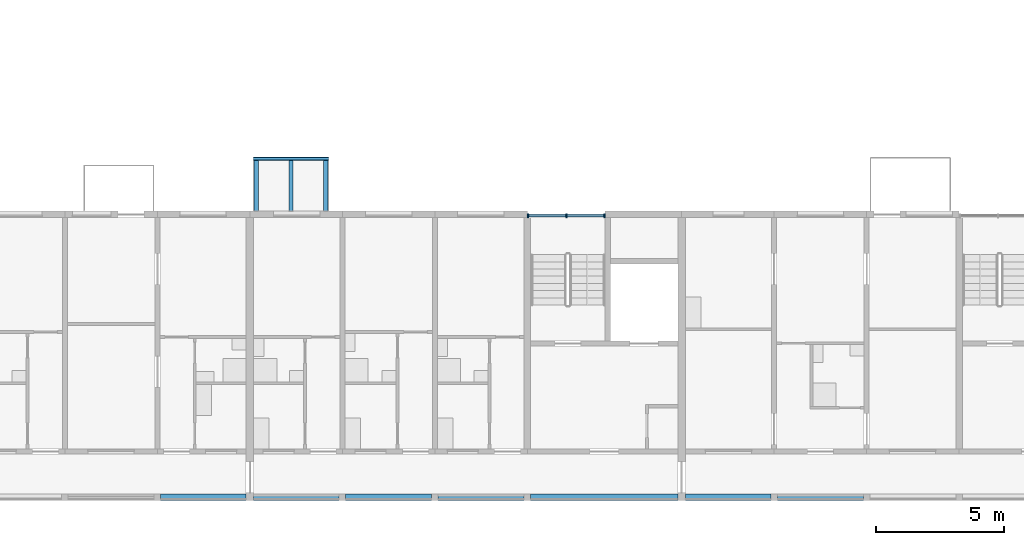
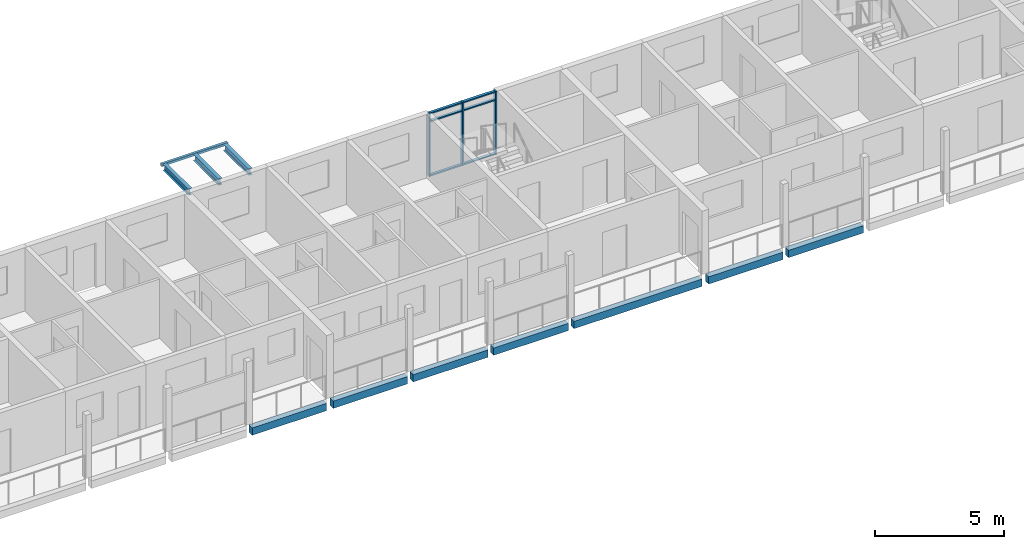
# One storey, part 17 of 94: 11 beams, 9 members, 1 element without a shape of its own.
"""IFC4 building model written with IfcOpenShell, lengths in metres."""

from ifc_helpers import new_model, si_unit, direction, frame, origin, origin_2d, place, context, subcontext, project, spatial, rectangle, hollow_rectangle, i_section, extrude, material, material_profile, profile_set, type_object, element, aggregate, save


model = new_model("IFC4")

# Units and contexts
model_context = context("Model", 3, precision=1e-05, world=origin(), true_north=direction((0.0, 1.0)))
body_context = subcontext(model_context, "Body", "Model", "MODEL_VIEW")
ifc_project = project(units=[si_unit("LENGTHUNIT", "METRE"), si_unit("AREAUNIT", "SQUARE_METRE"), si_unit("VOLUMEUNIT", "CUBIC_METRE"), si_unit("PLANEANGLEUNIT", "RADIAN"), si_unit("MASSUNIT", "GRAM", prefix="KILO")], contexts=[model_context])

# Site, building, storey
site_placement = place(None, origin())
site = spatial("IfcSite", under=ifc_project, at=site_placement, CompositionType="ELEMENT")
building_placement = place(site_placement, origin())
building = spatial("IfcBuilding", under=site, at=building_placement, Name="Ridgestep Commons", CompositionType="ELEMENT")
storey_placement = place(building_placement, frame((0.0, 0.0, 24.0)))
storey = spatial("IfcBuildingStorey", under=building, at=storey_placement, Name="L08", CompositionType="ELEMENT", Elevation=24.0)

# Beams
ifc_material_1 = material(Name="Precast concrete C40/50", Category="concrete")
ifc_material_profile_1 = material_profile(ifc_material_1, rectangle(XDim=0.25, YDim=0.35009765625, at=origin_2d()), Name="PC 250x350")
ifc_profile_set_1 = profile_set([ifc_material_profile_1], Name="Precast concrete C40/50")
beam_type_1 = type_object("IfcBeamType", Name="Loggia edge beam 250 x 350", PredefinedType="SPANDREL", material=ifc_profile_set_1)
for number, where, z_axis, x_axis, name in (
    (1, (176.925048828125, 11.875, -0.375), (1.0, 0.0, 0.0), (0.0, 1.0, 0.0), "Loggia edge beam D2T1 L08"),
    (2, (180.550048828125, 11.875, -0.375), (1.0, 0.0, 0.0), (0.0, 1.0, 0.0), "Loggia edge beam D3T1 L08"),
):
    element("IfcBeam", number, at=place(storey_placement, frame(where, z_axis=z_axis, x_axis=x_axis)), inside=storey, type_object=beam_type_1, Name=name, PredefinedType="SPANDREL", context=body_context, shape_type="SweptSolid", body=[
        extrude(rectangle(XDim=0.25, YDim=0.35009765625, at=origin_2d()), origin(), (0.0, 0.0, 1.0), 3.324951171875),
    ])
beam_1_placement = place(storey_placement, frame((184.125, 11.875, -0.375), z_axis=(1.0, 0.0, 0.0), x_axis=(0.0, 1.0, 0.0)))
element("IfcBeam", 3, at=beam_1_placement, inside=storey, type_object=beam_type_1, Name="Loggia edge beam D3T2 L08", PredefinedType="SPANDREL", context=body_context, shape_type="SweptSolid", body=[
    extrude(rectangle(XDim=0.25, YDim=0.35009765625, at=origin_2d()), origin(), (0.0, 0.0, 1.0), 3.35009765625),
])
beam_2_placement = place(storey_placement, frame((187.72509765625, 11.875, -0.375), z_axis=(1.0, 0.0, 0.0), x_axis=(0.0, 1.0, 0.0)))
element("IfcBeam", 4, at=beam_2_placement, inside=storey, type_object=beam_type_1, Name="Loggia edge beam D3T3 L08", PredefinedType="SPANDREL", context=body_context, shape_type="SweptSolid", body=[
    extrude(rectangle(XDim=0.25, YDim=0.35009765625, at=origin_2d()), origin(), (0.0, 0.0, 1.0), 3.349853515625),
])
beam_3_placement = place(storey_placement, frame((191.324951171875, 11.875, -0.375), z_axis=(1.0, 0.0, 0.0), x_axis=(0.0, 1.0, 0.0)))
element("IfcBeam", 5, at=beam_3_placement, inside=storey, type_object=beam_type_1, Name="Loggia edge beam D3C L08", PredefinedType="SPANDREL", context=body_context, shape_type="SweptSolid", body=[
    extrude(rectangle(XDim=0.25, YDim=0.35009765625, at=origin_2d()), origin(), (0.0, 0.0, 1.0), 5.72509765625),
])
beam_4_placement = place(storey_placement, frame((197.35009765625, 11.875, -0.375), z_axis=(1.0, 0.0, 0.0), x_axis=(0.0, 1.0, 0.0)))
element("IfcBeam", 6, at=beam_4_placement, inside=storey, type_object=beam_type_1, Name="Loggia edge beam D4T1 L08", PredefinedType="SPANDREL", context=body_context, shape_type="SweptSolid", body=[
    extrude(rectangle(XDim=0.25, YDim=0.35009765625, at=origin_2d()), origin(), (0.0, 0.0, 1.0), 3.324951171875),
])
beam_5_placement = place(storey_placement, frame((200.925048828125, 11.875, -0.375), z_axis=(1.0, 0.0, 0.0), x_axis=(0.0, 1.0, 0.0)))
element("IfcBeam", 7, at=beam_5_placement, inside=storey, type_object=beam_type_1, Name="Loggia edge beam D4T2 L08", PredefinedType="SPANDREL", context=body_context, shape_type="SweptSolid", body=[
    extrude(rectangle(XDim=0.25, YDim=0.35009765625, at=origin_2d()), origin(), (0.0, 0.0, 1.0), 3.349853515625),
])

# Curtain wall, members
ifc_material_2 = material(Name="Aluminium 6063-T6 and glass", Category="aluminium")
curtain_wall_type = type_object("IfcCurtainWallType", Name="Curtain wall stair strip", PredefinedType="NOTDEFINED", material=ifc_material_2)
curtain_wall_placement = place(storey_placement, origin())
curtain_wall = element("IfcCurtainWall", 8, at=curtain_wall_placement, inside=storey, type_object=curtain_wall_type, Name="Curtain wall D3C level 08", PredefinedType="NOTDEFINED")
ifc_material_3 = material(Name="Aluminium 6063-T6", Category="aluminium")
ifc_material_profile_2 = material_profile(ifc_material_3, rectangle(XDim=0.159912109375, YDim=0.06005859375, at=origin_2d()), Name="Mullion 60 x 160")
ifc_profile_set_2 = profile_set([ifc_material_profile_2], Name="Aluminium 6063-T6")
member_type_1 = type_object("IfcMemberType", Name="Mullion 60 x 160", PredefinedType="MULLION", material=ifc_profile_set_2)
member_1_placement = place(storey_placement, frame((191.22998046875, 22.830078125, 0.0), z_axis=(0.0, 0.0, 1.0), x_axis=(0.0, 1.0, 0.0)))
member_1 = element("IfcMember", 9, at=member_1_placement, type_object=member_type_1, Name="CW1 mullion 1", PredefinedType="MULLION", context=body_context, shape_type="SweptSolid", body=[
    extrude(rectangle(XDim=0.159912109375, YDim=0.06005859375, at=origin_2d()), origin(), (0.0, 0.0, 1.0), 3.0),
])
member_2_placement = place(storey_placement, frame((192.71240234375, 22.830078125, 0.0), z_axis=(0.0, 0.0, 1.0), x_axis=(0.0, 1.0, 0.0)))
member_2 = element("IfcMember", 10, at=member_2_placement, type_object=member_type_1, Name="CW1 mullion 2", PredefinedType="MULLION", context=body_context, shape_type="SweptSolid", body=[
    extrude(rectangle(XDim=0.159912109375, YDim=0.06005859375, at=origin_2d()), origin(), (0.0, 0.0, 1.0), 3.0),
])
member_3_placement = place(storey_placement, frame((194.195068359375, 22.830078125, 0.0), z_axis=(0.0, 0.0, 1.0), x_axis=(0.0, 1.0, 0.0)))
member_3 = element("IfcMember", 11, at=member_3_placement, type_object=member_type_1, Name="CW1 mullion 3", PredefinedType="MULLION", context=body_context, shape_type="SweptSolid", body=[
    extrude(rectangle(XDim=0.159912109375, YDim=0.06005859375, at=origin_2d()), origin(), (0.0, 0.0, 1.0), 3.0),
])
ifc_material_4 = material(Name="Aluminium 6063-T6", Category="aluminium")
ifc_material_profile_3 = material_profile(ifc_material_4, rectangle(XDim=0.1201171875, YDim=0.06005859375, at=origin_2d()), Name="Transom 60 x 120")
ifc_profile_set_3 = profile_set([ifc_material_profile_3], Name="Aluminium 6063-T6")
member_type_2 = type_object("IfcMemberType", Name="Transom 60 x 120", PredefinedType="USERDEFINED", material=ifc_profile_set_3)
member_4_placement = place(storey_placement, frame((191.260009765625, 22.830078125, 0.030029296875), z_axis=(1.0, 0.0, 0.0), x_axis=(0.0, 1.0, 0.0)))
member_4 = element("IfcMember", 12, at=member_4_placement, type_object=member_type_2, Name="CW1 transom 1.1", ObjectType="TRANSOM", PredefinedType="USERDEFINED", context=body_context, shape_type="SweptSolid", body=[
    extrude(rectangle(XDim=0.1201171875, YDim=0.06005859375, at=origin_2d()), origin(), (0.0, 0.0, 1.0), 1.422607421875),
])
member_5_placement = place(storey_placement, frame((191.260009765625, 22.830078125, 2.590087890625), z_axis=(1.0, 0.0, 0.0), x_axis=(0.0, 1.0, 0.0)))
member_5 = element("IfcMember", 13, at=member_5_placement, type_object=member_type_2, Name="CW1 transom 1.2", ObjectType="TRANSOM", PredefinedType="USERDEFINED", context=body_context, shape_type="SweptSolid", body=[
    extrude(rectangle(XDim=0.1201171875, YDim=0.06005859375, at=origin_2d()), origin(), (0.0, 0.0, 1.0), 1.422607421875),
])
member_6_placement = place(storey_placement, frame((191.260009765625, 22.830078125, 2.969970703125), z_axis=(1.0, 0.0, 0.0), x_axis=(0.0, 1.0, 0.0)))
member_6 = element("IfcMember", 14, at=member_6_placement, type_object=member_type_2, Name="CW1 transom 1.3", ObjectType="TRANSOM", PredefinedType="USERDEFINED", context=body_context, shape_type="SweptSolid", body=[
    extrude(rectangle(XDim=0.1201171875, YDim=0.06005859375, at=origin_2d()), origin(), (0.0, 0.0, 1.0), 1.422607421875),
])
member_7_placement = place(storey_placement, frame((192.742431640625, 22.830078125, 0.030029296875), z_axis=(1.0, 0.0, 0.0), x_axis=(0.0, 1.0, 0.0)))
member_7 = element("IfcMember", 15, at=member_7_placement, type_object=member_type_2, Name="CW1 transom 2.1", ObjectType="TRANSOM", PredefinedType="USERDEFINED", context=body_context, shape_type="SweptSolid", body=[
    extrude(rectangle(XDim=0.1201171875, YDim=0.06005859375, at=origin_2d()), origin(), (0.0, 0.0, 1.0), 1.422607421875),
])
member_8_placement = place(storey_placement, frame((192.742431640625, 22.830078125, 2.590087890625), z_axis=(1.0, 0.0, 0.0), x_axis=(0.0, 1.0, 0.0)))
member_8 = element("IfcMember", 16, at=member_8_placement, type_object=member_type_2, Name="CW1 transom 2.2", ObjectType="TRANSOM", PredefinedType="USERDEFINED", context=body_context, shape_type="SweptSolid", body=[
    extrude(rectangle(XDim=0.1201171875, YDim=0.06005859375, at=origin_2d()), origin(), (0.0, 0.0, 1.0), 1.422607421875),
])
member_9_placement = place(storey_placement, frame((192.742431640625, 22.830078125, 2.969970703125), z_axis=(1.0, 0.0, 0.0), x_axis=(0.0, 1.0, 0.0)))
member_9 = element("IfcMember", 17, at=member_9_placement, type_object=member_type_2, Name="CW1 transom 2.3", ObjectType="TRANSOM", PredefinedType="USERDEFINED", context=body_context, shape_type="SweptSolid", body=[
    extrude(rectangle(XDim=0.1201171875, YDim=0.06005859375, at=origin_2d()), origin(), (0.0, 0.0, 1.0), 1.422607421875),
])
aggregate(curtain_wall, [member_1, member_2, member_3, member_4, member_5, member_6, member_7, member_8, member_9])

# Beams
ifc_material_5 = material(Name="Weathering steel S355J2W", Category="steel")
ifc_material_profile_4 = material_profile(ifc_material_5, i_section(OverallWidth=0.1650390625, OverallDepth=0.303466796875, WebThickness=0.006103515625, FlangeThickness=0.01025390625, FilletRadius=0.0087890625, at=origin_2d()), Name="UB 305x165x40")
ifc_profile_set_4 = profile_set([ifc_material_profile_4], Name="Weathering steel S355J2W")
beam_type_2 = type_object("IfcBeamType", Name="Tray arm UB 305x165x40", PredefinedType="BEAM", material=ifc_profile_set_4)
for number, where, z_axis, x_axis, name in (
    (18, (180.64990234375, 23.014892578125, 2.83837890625), (0.0, 1.0, 0.0), (-1.0, 0.0, 0.0), "Tray arm D3T1-09.1"),
    (19, (182.0, 23.014892578125, 2.83837890625), (0.0, 1.0, 0.0), (-1.0, 0.0, 0.0), "Tray arm D3T1-09.2"),
    (20, (183.35009765625, 23.014892578125, 2.83837890625), (0.0, 1.0, 0.0), (-1.0, 0.0, 0.0), "Tray arm D3T1-09.3"),
):
    element("IfcBeam", number, at=place(storey_placement, frame(where, z_axis=z_axis, x_axis=x_axis)), inside=storey, type_object=beam_type_2, Name=name, PredefinedType="BEAM", context=body_context, shape_type="SweptSolid", body=[
        extrude(i_section(OverallWidth=0.1650390625, OverallDepth=0.303466796875, WebThickness=0.006103515625, FlangeThickness=0.01025390625, FilletRadius=0.0087890625, at=origin_2d()), origin(), (0.0, 0.0, 1.0), 1.965087890625),
    ])
ifc_material_6 = material(Name="Weathering steel S355J2W", Category="steel")
ifc_material_profile_5 = material_profile(ifc_material_6, hollow_rectangle(XDim=0.1201171875, YDim=0.1201171875, WallThickness=0.00634765625, InnerFilletRadius=0.00634765625, OuterFilletRadius=0.009521484375, at=origin_2d()), Name="SHS 120x120x6.3")
ifc_profile_set_5 = profile_set([ifc_material_profile_5], Name="Weathering steel S355J2W")
beam_type_3 = type_object("IfcBeamType", Name="Tray edge member SHS 120x120x6.3", PredefinedType="BEAM", material=ifc_profile_set_5)
beam_6_placement = place(storey_placement, frame((180.530029296875, 25.0400390625, 2.929931640625), z_axis=(1.0, 0.0, 0.0), x_axis=(0.0, 0.0, 1.0)))
element("IfcBeam", 21, at=beam_6_placement, inside=storey, type_object=beam_type_3, Name="Tray edge member D3T1-09", PredefinedType="BEAM", context=body_context, shape_type="SweptSolid", body=[
    extrude(hollow_rectangle(XDim=0.1201171875, YDim=0.1201171875, WallThickness=0.00634765625, InnerFilletRadius=0.00634765625, OuterFilletRadius=0.009521484375, at=origin_2d()), origin(), (0.0, 0.0, 1.0), 2.93994140625),
])

save(model, "model.ifc")
